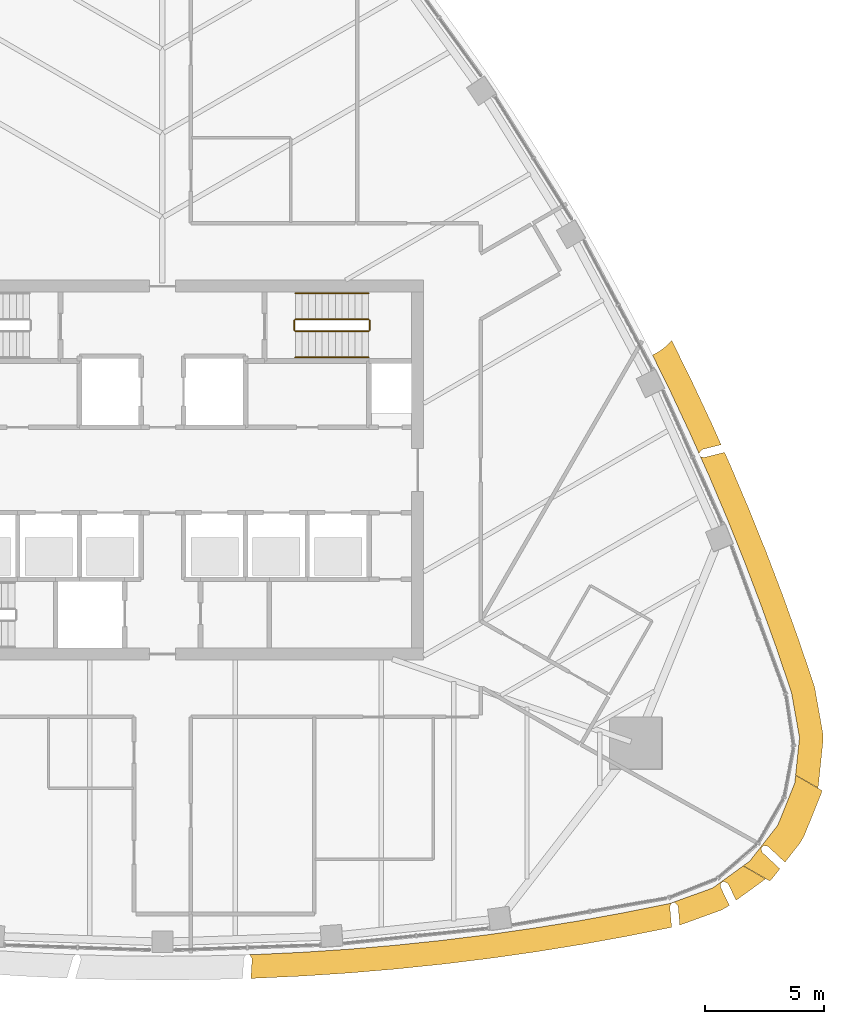
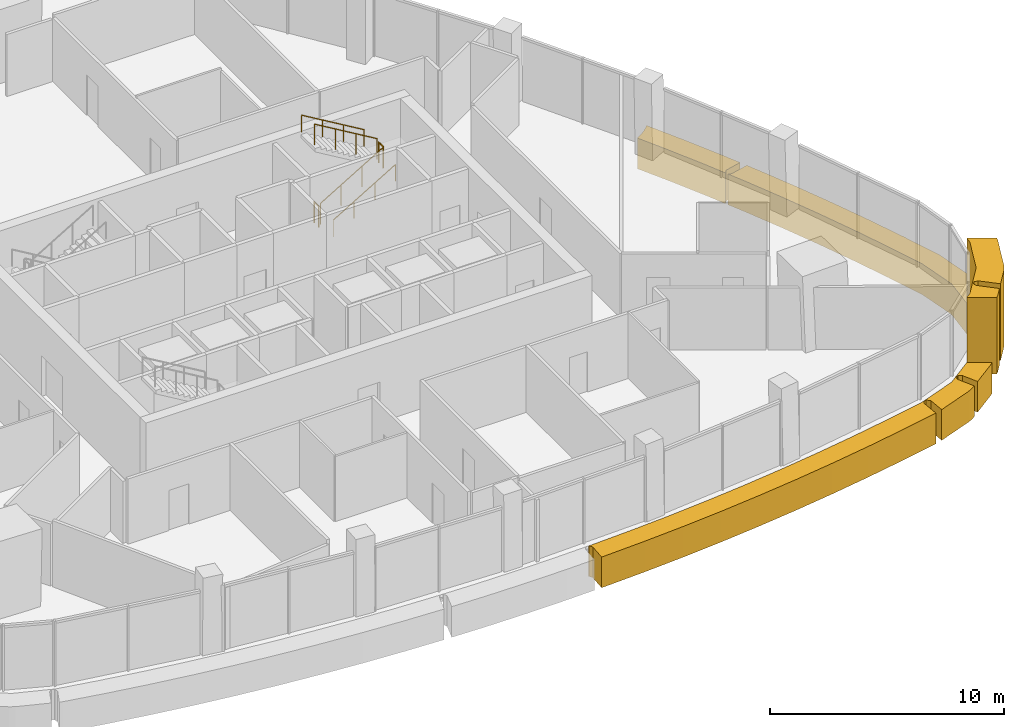
# One storey, part 13 of 15: 6 railings, 4 coverings.
"""IFC4 building model written with IfcOpenShell, lengths in metres."""

from ifc_helpers import new_model, si_unit, direction, frame, origin, origin_2d, place, context, subcontext, project, spatial, polyline, circle, outline, extrude, material, layer, layer_set, type_object, element, save


model = new_model("IFC4")

# Units and contexts
model_context = context("Model", 3, precision=1e-05, world=origin(), true_north=direction((0.0, 1.0)))
body_context = subcontext(model_context, "Body", "Model", "MODEL_VIEW")
ifc_project = project(units=[si_unit("LENGTHUNIT", "METRE"), si_unit("AREAUNIT", "SQUARE_METRE"), si_unit("VOLUMEUNIT", "CUBIC_METRE"), si_unit("PLANEANGLEUNIT", "RADIAN"), si_unit("MASSUNIT", "GRAM", prefix="KILO")], contexts=[model_context])

# Site, building, storey
site_placement = place(None, origin())
site = spatial("IfcSite", under=ifc_project, at=site_placement, CompositionType="ELEMENT")
building_placement = place(site_placement, origin())
building = spatial("IfcBuilding", under=site, at=building_placement, Name="Sierra Prisma Convention Tower", CompositionType="ELEMENT")
storey_placement = place(building_placement, frame((0.0, 0.0, 315.0)))
storey = spatial("IfcBuildingStorey", under=building, at=storey_placement, Name="L72", CompositionType="ELEMENT", Elevation=315.0)

# Coverings
ifc_material_1 = material(Name="Aluminium composite bronze anodised", Category="aluminium")
ifc_layer_1 = layer(ifc_material_1, 1.199951171875)
ifc_layer_set_1 = layer_set([ifc_layer_1], Name="Bronze corner pier")
covering_type_1 = type_object("IfcCoveringType", Name="Bronze corner pier", PredefinedType="CLADDING", material=ifc_layer_set_1)
covering_1_placement = place(storey_placement, frame((0.0, 0.0, -0.60009765625)))
element("IfcCovering", 1, at=covering_1_placement, inside=storey, type_object=covering_type_1, Name="Corner pier SE L72.1", PredefinedType="CLADDING", context=body_context, shape_type="SweptSolid", body=[
    extrude(outline(polyline([(25.512451171875, -15.856689453125), (25.50830078125, -15.85400390625), (25.50390625, -15.8515625), (25.499267578125, -15.849609375), (25.494384765625, -15.84814453125), (25.489501953125, -15.84716796875), (25.340576171875, -15.8251953125), (25.335693359375, -15.82470703125), (25.3310546875, -15.82470703125), (25.326171875, -15.8251953125), (25.321533203125, -15.826171875), (25.31689453125, -15.827392578125), (25.3125, -15.8291015625), (25.30810546875, -15.831298828125), (25.30419921875, -15.833984375), (25.30029296875, -15.8369140625), (25.297119140625, -15.84033203125), (25.2939453125, -15.843994140625), (25.232421875, -15.922607421875), (25.2294921875, -15.9267578125), (25.22705078125, -15.930908203125), (25.22509765625, -15.935302734375), (25.223388671875, -15.93994140625), (25.222412109375, -15.944580078125), (25.2216796875, -15.949462890625), (25.2216796875, -15.954345703125), (25.221923828125, -15.959228515625), (25.222900390625, -15.964111328125), (25.22412109375, -15.968505859375), (25.26416015625, -16.094482421875), (25.265869140625, -16.099365234375), (25.26806640625, -16.10400390625), (25.27099609375, -16.1083984375), (25.27392578125, -16.1123046875), (25.277587890625, -16.115966796875), (26.00927734375, -16.798583984375), (25.681396484375, -17.2177734375), (25.584228515625, -17.3115234375), (24.47265625, -16.669677734375), (24.736083984375, -16.478515625), (25.919921875, -14.96484375), (26.638916015625, -13.182861328125), (26.672607421875, -12.859130859375), (27.7841796875, -13.5009765625), (27.751708984375, -13.6318359375), (27.03271484375, -15.413818359375), (26.864990234375, -15.703857421875), (26.2255859375, -16.52197265625), (25.516357421875, -15.860107421875), (25.512451171875, -15.856689453125)])), origin(), (0.0, 0.0, 1.0), 4.0),
])
ifc_material_2 = material(Name="Aluminium composite bronze anodised", Category="aluminium")
ifc_layer_2 = layer(ifc_material_2, 1.0)
ifc_layer_set_2 = layer_set([ifc_layer_2], Name="Bronze spandrel band")
covering_type_2 = type_object("IfcCoveringType", Name="Bronze spandrel band", PredefinedType="CLADDING", material=ifc_layer_set_2)
covering_2_placement = place(storey_placement, frame((0.0, 0.0, -1.60009765625)))
element("IfcCovering", 2, at=covering_2_placement, inside=storey, type_object=covering_type_2, Name="Spandrel band L72.4", PredefinedType="CLADDING", context=body_context, shape_type="SweptSolid", body=[
    extrude(outline(polyline([(22.290771484375, 3.762939453125), (22.298828125, 3.74609375), (23.13037109375, 1.974609375), (23.13818359375, 1.95751953125), (23.534912109375, 1.06884765625), (22.74609375, 0.87109375), (22.741455078125, 0.86962890625), (22.7373046875, 0.867919921875), (22.733154296875, 0.86572265625), (22.729248046875, 0.86328125), (22.7255859375, 0.860595703125), (22.72216796875, 0.857421875), (22.718994140625, 0.853759765625), (22.619384765625, 0.729248046875), (22.61669921875, 0.72509765625), (22.614013671875, 0.720947265625), (22.612060546875, 0.71630859375), (22.6103515625, 0.711669921875), (22.609375, 0.706787109375), (22.608642578125, 0.701904296875), (22.6083984375, 0.697021484375), (22.60888671875, 0.69189453125), (22.609375, 0.689208984375), (22.22509765625, 1.549560546875), (21.393798828125, 3.3212890625), (20.644287109375, 4.842529296875), (20.75341796875, 4.900634765625), (20.966552734375, 5.028076171875), (21.166015625, 5.17578125), (21.35009765625, 5.34228515625), (21.45556640625, 5.458740234375), (22.290771484375, 3.762939453125)])), origin(), (0.0, 0.0, 1.0), 1.60009765625),
])
covering_3_placement = place(storey_placement, frame((0.0, 0.0, -1.60009765625)))
element("IfcCovering", 3, at=covering_3_placement, inside=storey, type_object=covering_type_2, Name="Spandrel band L72.5", PredefinedType="CLADDING", context=body_context, shape_type="SweptSolid", body=[
    extrude(outline(polyline([(27.83251953125, -11.375), (27.633544921875, -13.2861328125), (27.6083984375, -13.3876953125), (26.673828125, -12.84814453125), (26.837646484375, -11.271484375), (26.50048828125, -9.379638671875), (25.874267578125, -7.525634765625), (25.213134765625, -5.68359375), (24.517333984375, -3.8544921875), (23.787109375, -2.038818359375), (23.023193359375, -0.2373046875), (22.659912109375, 0.575927734375), (22.662109375, 0.5732421875), (22.665771484375, 0.569580078125), (22.669677734375, 0.56640625), (22.674072265625, 0.563720703125), (22.6787109375, 0.561279296875), (22.683349609375, 0.559326171875), (22.6884765625, 0.557861328125), (22.80810546875, 0.53125), (22.8125, 0.530517578125), (22.817138671875, 0.530029296875), (22.82177734375, 0.530029296875), (22.826416015625, 0.530517578125), (22.8310546875, 0.531494140625), (23.679931640625, 0.744384765625), (23.936279296875, 0.17041015625), (23.943603515625, 0.1533203125), (24.7080078125, -1.6484375), (24.715087890625, -1.665771484375), (25.445068359375, -3.4814453125), (25.451904296875, -3.4990234375), (26.147705078125, -5.328125), (26.154296875, -5.345947265625), (26.8154296875, -7.187744140625), (26.821533203125, -7.20556640625), (27.447998046875, -9.0595703125), (27.485107421875, -9.2041015625), (27.822265625, -11.095947265625), (27.83251953125, -11.375)])), origin(), (0.0, 0.0, 1.0), 1.60009765625),
])
covering_4_placement = place(storey_placement, frame((0.0, 0.0, -1.60009765625)))
element("IfcCovering", 4, at=covering_4_placement, inside=storey, type_object=covering_type_2, Name="Spandrel band L72.6", PredefinedType="CLADDING", context=body_context, shape_type="SweptSolid", body=[
    extrude(outline(polyline([(23.828857421875, -17.42578125), (23.826171875, -17.421875), (23.8232421875, -17.418212890625), (23.820068359375, -17.4150390625), (23.81640625, -17.412109375), (23.8125, -17.4091796875), (23.80859375, -17.406982421875), (23.666259765625, -17.335205078125), (23.66162109375, -17.333251953125), (23.656982421875, -17.33154296875), (23.652099609375, -17.33056640625), (23.647216796875, -17.330078125), (23.64208984375, -17.329833984375), (23.63720703125, -17.330322265625), (23.63232421875, -17.3310546875), (23.62744140625, -17.33251953125), (23.622802734375, -17.33447265625), (23.618408203125, -17.336669921875), (23.6142578125, -17.33935546875), (23.533447265625, -17.39794921875), (23.529296875, -17.4013671875), (23.525634765625, -17.40478515625), (23.5224609375, -17.408935546875), (23.51953125, -17.413330078125), (23.51708984375, -17.41796875), (23.515380859375, -17.422607421875), (23.513916015625, -17.427734375), (23.512939453125, -17.4326171875), (23.5126953125, -17.43798828125), (23.51123046875, -17.560302734375), (23.511474609375, -17.56494140625), (23.511962890625, -17.569580078125), (23.512939453125, -17.57421875), (23.514404296875, -17.57861328125), (23.51611328125, -17.5830078125), (23.881103515625, -18.33349609375), (23.76708984375, -18.416015625), (23.5205078125, -18.546875), (21.79296875, -19.171875), (21.725341796875, -18.382568359375), (21.724853515625, -18.377685546875), (21.7236328125, -18.372802734375), (21.721923828125, -18.3681640625), (21.719970703125, -18.363525390625), (21.71728515625, -18.359375), (21.71435546875, -18.355224609375), (21.711181640625, -18.3515625), (21.5927734375, -18.232421875), (21.58935546875, -18.229248046875), (21.58544921875, -18.226318359375), (21.58154296875, -18.223876953125), (21.5771484375, -18.2216796875), (21.57275390625, -18.22021484375), (21.568115234375, -18.218994140625), (21.563720703125, -18.218017578125), (21.558837890625, -18.2177734375), (21.55419921875, -18.2177734375), (21.54931640625, -18.21826171875), (21.544921875, -18.21923828125), (21.540283203125, -18.220703125), (21.4462890625, -18.254638671875), (21.441650390625, -18.256591796875), (21.437255859375, -18.2587890625), (21.43310546875, -18.26171875), (21.429443359375, -18.264892578125), (21.42578125, -18.268310546875), (21.4228515625, -18.272216796875), (21.420166015625, -18.2763671875), (21.417724609375, -18.28076171875), (21.416015625, -18.285400390625), (21.37939453125, -18.391845703125), (21.377685546875, -18.39697265625), (21.376953125, -18.402099609375), (21.37646484375, -18.4072265625), (21.376708984375, -18.412353515625), (21.44970703125, -19.264892578125), (19.65087890625, -19.62548828125), (19.632568359375, -19.62890625), (17.706787109375, -19.977294921875), (17.688232421875, -19.98046875), (15.75634765625, -20.29248046875), (15.73779296875, -20.29541015625), (13.80029296875, -20.57080078125), (13.781494140625, -20.573486328125), (11.839111328125, -20.8125), (11.820556640625, -20.814697265625), (9.8740234375, -21.01708984375), (9.855224609375, -21.018798828125), (7.9052734375, -21.1845703125), (7.886474609375, -21.185791015625), (5.933837890625, -21.314697265625), (5.9150390625, -21.31591796875), (3.960205078125, -21.407958984375), (3.94140625, -21.40869140625), (3.726318359375, -21.414794921875), (3.774658203125, -20.59423828125), (3.774658203125, -20.589111328125), (3.774169921875, -20.584228515625), (3.773193359375, -20.579345703125), (3.771728515625, -20.574462890625), (3.77001953125, -20.56982421875), (3.767578125, -20.5654296875), (3.689208984375, -20.4365234375), (3.6865234375, -20.4326171875), (3.68359375, -20.428955078125), (3.68017578125, -20.425537109375), (3.676513671875, -20.422607421875), (3.672607421875, -20.419921875), (3.668212890625, -20.41748046875), (3.664794921875, -20.416015625), (3.9130859375, -20.4091796875), (5.867919921875, -20.31689453125), (7.820556640625, -20.18798828125), (9.7705078125, -20.0224609375), (11.717041015625, -19.81982421875), (13.659423828125, -19.580810546875), (15.5966796875, -19.305419921875), (17.52880859375, -18.993408203125), (19.45458984375, -18.64501953125), (21.373291015625, -18.26025390625), (23.180419921875, -17.6064453125), (24.4638671875, -16.676025390625), (25.3984375, -17.2158203125), (25.322998046875, -17.288330078125), (24.1689453125, -18.124755859375), (23.8310546875, -17.4296875), (23.828857421875, -17.42578125)])), origin(), (0.0, 0.0, 1.0), 1.60009765625),
])

# Railings
ifc_material_3 = material(Name="Stainless steel", Category="steel")
railing_type_1 = type_object("IfcRailingType", Name="Exit stair handrail", PredefinedType="HANDRAIL", material=ifc_material_3)
railing_1_placement = place(storey_placement, frame((5.60009765625, 4.75, 0.166748046875)))
element("IfcRailing", 5, at=railing_1_placement, inside=storey, type_object=railing_type_1, Name="L72 S4 stair handrail 1", PredefinedType="HANDRAIL", context=body_context, shape_type="SweptSolid", body=[
    extrude(circle(Radius=0.02392578125, at=origin_2d()), frame((0.0, 0.0, 0.8759765625), z_axis=(0.859290745958, 0.0, 0.51148745235), x_axis=(0.0, 1.0, 0.0)), (0.0, 0.0, 1.0), 3.584228515625),
    extrude(circle(Radius=0.02099609375, at=origin_2d()), origin(), (0.0, 0.0, 1.0), 0.851806640625),
    extrude(circle(Radius=0.02099609375, at=origin_2d()), frame((1.026611328125, 0.0, 0.611083984375)), (0.0, 0.0, 1.0), 0.851806640625),
    extrude(circle(Radius=0.02099609375, at=origin_2d()), frame((2.05322265625, 0.0, 1.22216796875)), (0.0, 0.0, 1.0), 0.851806640625),
    extrude(circle(Radius=0.02099609375, at=origin_2d()), frame((3.079833984375, 0.0, 1.833251953125)), (0.0, 0.0, 1.0), 0.851806640625),
])
railing_2_placement = place(storey_placement, frame((8.679931640625, 7.449951171875, 2.166748046875)))
element("IfcRailing", 6, at=railing_2_placement, inside=storey, type_object=railing_type_1, Name="L72 S4 stair handrail 2", PredefinedType="HANDRAIL", context=body_context, shape_type="SweptSolid", body=[
    extrude(circle(Radius=0.02392578125, at=origin_2d()), frame((0.0, 0.0, 0.8759765625), z_axis=(-0.859290745958, 0.0, 0.51148745235), x_axis=(0.0, -1.0, 0.0)), (0.0, 0.0, 1.0), 3.584228515625),
    extrude(circle(Radius=0.02099609375, at=origin_2d()), origin(), (0.0, 0.0, 1.0), 0.851806640625),
    extrude(circle(Radius=0.02099609375, at=origin_2d()), frame((-1.026611328125, 0.0, 0.611083984375)), (0.0, 0.0, 1.0), 0.851806640625),
    extrude(circle(Radius=0.02099609375, at=origin_2d()), frame((-2.05322265625, 0.0, 1.22216796875)), (0.0, 0.0, 1.0), 0.851806640625),
    extrude(circle(Radius=0.02099609375, at=origin_2d()), frame((-3.079833984375, 0.0, 1.833251953125)), (0.0, 0.0, 1.0), 0.851806640625),
])
ifc_material_4 = material(Name="Stainless steel", Category="steel")
railing_type_2 = type_object("IfcRailingType", Name="Stair guard 1100", PredefinedType="GUARDRAIL", material=ifc_material_4)
railing_3_placement = place(storey_placement, frame((5.60009765625, 5.85009765625, 0.166748046875)))
element("IfcRailing", 7, at=railing_3_placement, inside=storey, type_object=railing_type_2, Name="L72 S4 stair guard 1", PredefinedType="GUARDRAIL", context=body_context, shape_type="SweptSolid", body=[
    extrude(circle(Radius=0.02392578125, at=origin_2d()), frame((0.0, 0.0, 1.076171875), z_axis=(0.859290745958, 0.0, 0.51148745235), x_axis=(0.0, 1.0, 0.0)), (0.0, 0.0, 1.0), 3.584228515625),
    extrude(circle(Radius=0.02099609375, at=origin_2d()), origin(), (0.0, 0.0, 1.0), 1.052001953125),
    extrude(circle(Radius=0.02099609375, at=origin_2d()), frame((1.026611328125, 0.0, 0.611083984375)), (0.0, 0.0, 1.0), 1.052001953125),
    extrude(circle(Radius=0.02099609375, at=origin_2d()), frame((2.05322265625, 0.0, 1.22216796875)), (0.0, 0.0, 1.0), 1.052001953125),
    extrude(circle(Radius=0.02099609375, at=origin_2d()), frame((3.079833984375, 0.0, 1.833251953125)), (0.0, 0.0, 1.0), 1.052001953125),
])
railing_4_placement = place(storey_placement, frame((8.72998046875, 5.89990234375, 2.0)))
element("IfcRailing", 8, at=railing_4_placement, inside=storey, type_object=railing_type_2, Name="L72 S4 stair guard 2", PredefinedType="GUARDRAIL", context=body_context, shape_type="SweptSolid", body=[
    extrude(circle(Radius=0.02392578125, at=origin_2d()), frame((0.0, 0.0, 1.076171875), z_axis=(0.0, 1.0, 0.0), x_axis=(-1.0, 0.0, 0.0)), (0.0, 0.0, 1.0), 0.400146484375),
    extrude(circle(Radius=0.02099609375, at=origin_2d()), origin(), (0.0, 0.0, 1.0), 1.052001953125),
    extrude(circle(Radius=0.02099609375, at=origin_2d()), frame((0.0, 0.400146484375, 0.0)), (0.0, 0.0, 1.0), 1.052001953125),
])
railing_5_placement = place(storey_placement, frame((8.679931640625, 6.35009765625, 2.166748046875)))
element("IfcRailing", 9, at=railing_5_placement, inside=storey, type_object=railing_type_2, Name="L72 S4 stair guard 3", PredefinedType="GUARDRAIL", context=body_context, shape_type="SweptSolid", body=[
    extrude(circle(Radius=0.02392578125, at=origin_2d()), frame((0.0, 0.0, 1.076171875), z_axis=(-0.859290745958, 0.0, 0.51148745235), x_axis=(0.0, -1.0, 0.0)), (0.0, 0.0, 1.0), 3.584228515625),
    extrude(circle(Radius=0.02099609375, at=origin_2d()), origin(), (0.0, 0.0, 1.0), 1.052001953125),
    extrude(circle(Radius=0.02099609375, at=origin_2d()), frame((-1.026611328125, 0.0, 0.611083984375)), (0.0, 0.0, 1.0), 1.052001953125),
    extrude(circle(Radius=0.02099609375, at=origin_2d()), frame((-2.05322265625, 0.0, 1.22216796875)), (0.0, 0.0, 1.0), 1.052001953125),
    extrude(circle(Radius=0.02099609375, at=origin_2d()), frame((-3.079833984375, 0.0, 1.833251953125)), (0.0, 0.0, 1.0), 1.052001953125),
])
railing_6_placement = place(storey_placement, frame((5.550048828125, 5.89990234375, 0.0)))
element("IfcRailing", 10, at=railing_6_placement, inside=storey, type_object=railing_type_2, Name="L72 S4 stair guard 4", PredefinedType="GUARDRAIL", context=body_context, shape_type="SweptSolid", body=[
    extrude(circle(Radius=0.02392578125, at=origin_2d()), frame((0.0, 0.0, 1.076171875), z_axis=(0.0, 1.0, 0.0), x_axis=(-1.0, 0.0, 0.0)), (0.0, 0.0, 1.0), 0.400146484375),
    extrude(circle(Radius=0.02099609375, at=origin_2d()), origin(), (0.0, 0.0, 1.0), 1.052001953125),
    extrude(circle(Radius=0.02099609375, at=origin_2d()), frame((0.0, 0.400146484375, 0.0)), (0.0, 0.0, 1.0), 1.052001953125),
])

save(model, "model.ifc")
